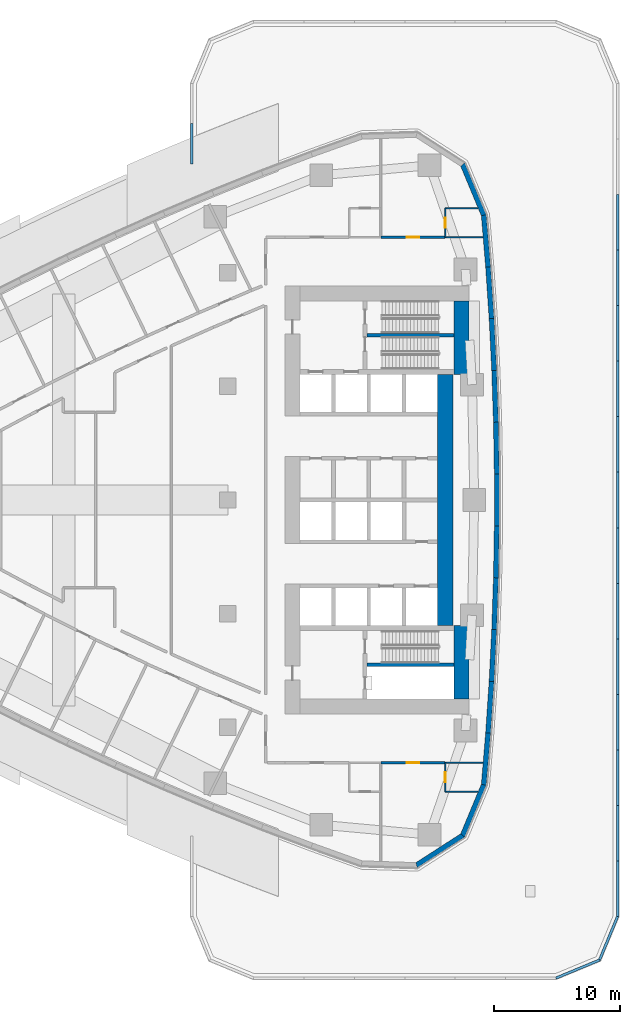
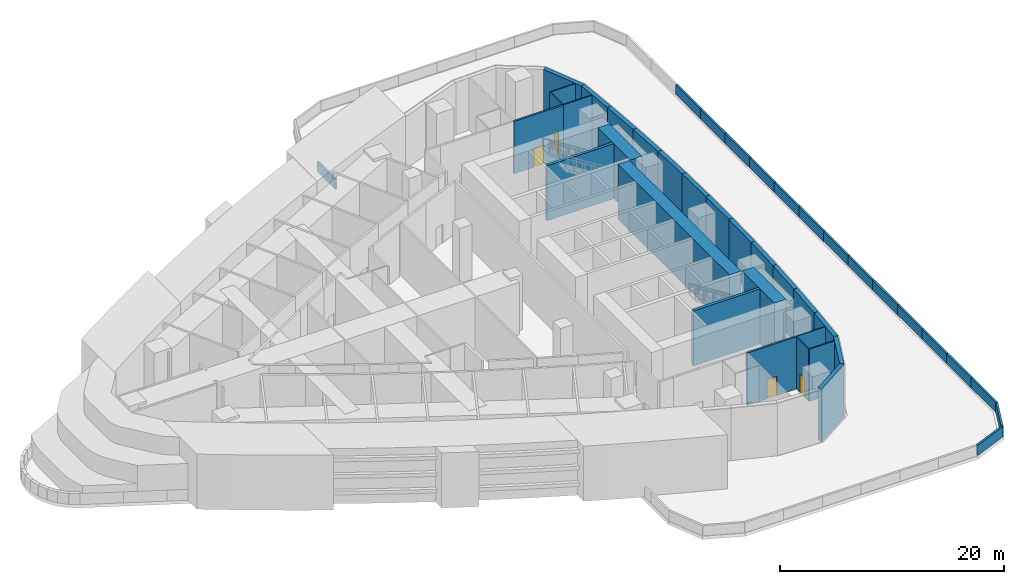
# One storey, part 6 of 14: 43 walls, 4 doors, 4 openings.
"""IFC4 building model written with IfcOpenShell, lengths in metres."""

from ifc_helpers import new_model, si_unit, direction, frame, frame_2d, origin, place, context, subcontext, project, spatial, polyline, rectangle, outline, extrude, material, layer, layer_set, type_object, element, fill, save


model = new_model("IFC4")

# Units and contexts
model_context = context("Model", 3, precision=1e-05, world=origin(), true_north=direction((0.0, 1.0)))
body_context = subcontext(model_context, "Body", "Model", "MODEL_VIEW")
ifc_project = project(units=[si_unit("LENGTHUNIT", "METRE"), si_unit("AREAUNIT", "SQUARE_METRE"), si_unit("VOLUMEUNIT", "CUBIC_METRE"), si_unit("PLANEANGLEUNIT", "RADIAN"), si_unit("MASSUNIT", "GRAM", prefix="KILO")], contexts=[model_context])

# Site, building, storey
site_placement = place(None, origin())
site = spatial("IfcSite", under=ifc_project, at=site_placement, CompositionType="ELEMENT")
building_placement = place(site_placement, origin())
building = spatial("IfcBuilding", under=site, at=building_placement, Name="Ostrand Prow Hotel Tower", CompositionType="ELEMENT")
storey_placement = place(building_placement, frame((0.0, 0.0, 29.0)))
storey = spatial("IfcBuildingStorey", under=building, at=storey_placement, Name="L05", CompositionType="ELEMENT", Elevation=29.0)

# Walls
ifc_material_1 = material(Name="Concrete C80/95", Category="concrete")
ifc_layer_1 = layer(ifc_material_1, 1.199951171875)
ifc_layer_set_1 = layer_set([ifc_layer_1], Name="Concrete C80/95")
wall_type_1 = type_object("IfcWallType", Name="Core wall 1200 C80/95", PredefinedType="SHEAR", material=ifc_layer_set_1)
for number, where, z_axis, x_axis, name in (
    (1, (63.47998046875, 9.949951171875, 0.0), (0.0, 0.0, 1.0), (0.0, 1.0, 0.0), "Core wall CW-E-N"),
    (2, (63.47998046875, -15.75, 0.0), (0.0, 0.0, 1.0), (0.0, 1.0, 0.0), "Core wall CW-E-S"),
):
    element("IfcWall", number, at=place(storey_placement, frame(where, z_axis=z_axis, x_axis=x_axis)), inside=storey, type_object=wall_type_1, Name=name, PredefinedType="SHEAR", context=body_context, shape_type="SweptSolid", body=[
        extrude(rectangle(XDim=5.800048828125, YDim=1.199951171875, at=frame_2d((2.89990234375, 0.0))), origin(), (0.0, 0.0, 1.0), 6.0),
    ])
wall_1_placement = place(storey_placement, frame((62.199951171875, -9.949951171875, 0.0), z_axis=(0.0, 0.0, 1.0), x_axis=(0.0, 1.0, 0.0)))
element("IfcWall", 3, at=wall_1_placement, inside=storey, type_object=wall_type_1, Name="Core wall CW-E-C", PredefinedType="SHEAR", context=body_context, shape_type="SweptSolid", body=[
    extrude(rectangle(XDim=19.89990234375, YDim=1.199951171875, at=frame_2d((9.949951171875, 0.0))), origin(), (0.0, 0.0, 1.0), 6.0),
])
ifc_material_2 = material(Name="Concrete C80/95", Category="concrete")
ifc_layer_2 = layer(ifc_material_2, 0.300048828125)
ifc_layer_set_2 = layer_set([ifc_layer_2], Name="Concrete C80/95")
wall_type_2 = type_object("IfcWallType", Name="Core wall 300 C80/95", PredefinedType="SHEAR", material=ifc_layer_set_2)
for number, where, z_axis, x_axis, name in (
    (4, (56.0, 13.050048828125, 0.0), (0.0, 0.0, 1.0), (1.0, 0.0, 0.0), "Core wall PW-ST13"),
    (5, (56.0, -13.050048828125, 0.0), (0.0, 0.0, 1.0), (1.0, 0.0, 0.0), "Core wall PW-ST2R"),
):
    element("IfcWall", number, at=place(storey_placement, frame(where, z_axis=z_axis, x_axis=x_axis)), inside=storey, type_object=wall_type_2, Name=name, PredefinedType="SHEAR", context=body_context, shape_type="SweptSolid", body=[
        extrude(rectangle(XDim=6.8798828125, YDim=0.300048828125, at=frame_2d((3.43994140625, 0.0))), origin(), (0.0, 0.0, 1.0), 6.0),
    ])

# Wall, opening, door
ifc_material_3 = material(Name="Plasterboard partition")
ifc_layer_3 = layer(ifc_material_3, 0.10009765625)
ifc_layer_set_3 = layer_set([ifc_layer_3], Name="Plasterboard partition")
wall_type_3 = type_object("IfcWallType", Name="Partition 100 bathroom wall", PredefinedType="PARTITIONING", material=ifc_layer_set_3)
wall_2_placement = place(storey_placement, frame((62.203369140625, 20.800048828125, 0.0), z_axis=(0.0, 0.0, 1.0), x_axis=(0.0, 1.0, 0.0)))
wall_2 = element("IfcWall", 6, at=wall_2_placement, inside=storey, type_object=wall_type_3, Name="BATHROOM WALL", PredefinedType="PARTITIONING", context=body_context, shape_type="SweptSolid", body=[
    extrude(rectangle(XDim=2.300048828125, YDim=0.10009765625, at=frame_2d((1.14990234375, 0.0))), origin(), (0.0, 0.0, 1.0), 5.699951171875),
])
opening_1_placement = place(wall_2_placement, frame((0.75, 0.0, 0.0)))
opening_1 = element("IfcOpeningElement", 7, at=opening_1_placement, cuts=wall_2, Name="Opening D2", PredefinedType="OPENING", context=body_context, shape_type="SweptSolid", body=[
    extrude(rectangle(XDim=0.800048828125, YDim=2.10009765625, at=frame_2d((0.39990234375, 1.050048828125))), frame((0.0, 0.06005859375, 0.0), z_axis=(0.0, -1.0, 0.0), x_axis=(1.0, 0.0, 0.0)), (0.0, 0.0, 1.0), 0.1201171875),
])
ifc_material_4 = material(Name="Timber door leaf", Category="wood")
door_type_1 = type_object("IfcDoorType", Name="Bathroom door 800", OperationType="SINGLE_SWING_LEFT", PredefinedType="DOOR", material=ifc_material_4)
door_1_placement = place(opening_1_placement, origin())
door_1 = element("IfcDoor", 8, at=door_1_placement, inside=storey, type_object=door_type_1, Name="DOOR", OperationType="SINGLE_SWING_LEFT", OverallHeight=2.10009765625, OverallWidth=0.800048828125, PredefinedType="DOOR", context=body_context, shape_type="SweptSolid", body=[
    extrude(rectangle(XDim=0.800048828125, YDim=2.10009765625, at=frame_2d((0.39990234375, 1.050048828125))), frame((0.0, 0.02490234375, 0.0), z_axis=(0.0, -1.0, 0.0), x_axis=(1.0, 0.0, 0.0)), (0.0, 0.0, 1.0), 0.050048828125),
])
fill(opening_1, door_1)

# Walls
for number, where, z_axis, x_axis, name in (
    (9, (62.203369140625, 23.10009765625, 0.0), (0.0, 0.0, 1.0), (1.0, 0.0, 0.0), "BATHROOM WALL"),
    (10, (64.781494140625, -23.10009765625, 0.0), (0.0, 0.0, 1.0), (-1.0, 0.0, 0.0), "BATHROOM WALL"),
):
    element("IfcWall", number, at=place(storey_placement, frame(where, z_axis=z_axis, x_axis=x_axis)), inside=storey, type_object=wall_type_3, Name=name, PredefinedType="PARTITIONING", context=body_context, shape_type="SweptSolid", body=[
        extrude(rectangle(XDim=2.578125, YDim=0.10009765625, at=frame_2d((1.2890625, 0.0))), origin(), (0.0, 0.0, 1.0), 5.699951171875),
    ])

# Wall, opening, door
wall_3_placement = place(storey_placement, frame((62.203369140625, -23.10009765625, 0.0), z_axis=(0.0, 0.0, 1.0), x_axis=(0.0, 1.0, 0.0)))
wall_3 = element("IfcWall", 11, at=wall_3_placement, inside=storey, type_object=wall_type_3, Name="BATHROOM WALL", PredefinedType="PARTITIONING", context=body_context, shape_type="SweptSolid", body=[
    extrude(rectangle(XDim=2.300048828125, YDim=0.10009765625, at=frame_2d((1.14990234375, 0.0))), origin(), (0.0, 0.0, 1.0), 5.699951171875),
])
opening_2_placement = place(wall_3_placement, frame((0.75, 0.0, 0.0)))
opening_2 = element("IfcOpeningElement", 12, at=opening_2_placement, cuts=wall_3, Name="Opening D2", PredefinedType="OPENING", context=body_context, shape_type="SweptSolid", body=[
    extrude(rectangle(XDim=0.800048828125, YDim=2.10009765625, at=frame_2d((0.39990234375, 1.050048828125))), frame((0.0, 0.06005859375, 0.0), z_axis=(0.0, -1.0, 0.0), x_axis=(1.0, 0.0, 0.0)), (0.0, 0.0, 1.0), 0.1201171875),
])
door_2_placement = place(opening_2_placement, origin())
door_2 = element("IfcDoor", 13, at=door_2_placement, inside=storey, type_object=door_type_1, Name="DOOR", OperationType="SINGLE_SWING_LEFT", OverallHeight=2.10009765625, OverallWidth=0.800048828125, PredefinedType="DOOR", context=body_context, shape_type="SweptSolid", body=[
    extrude(rectangle(XDim=0.800048828125, YDim=2.10009765625, at=frame_2d((0.39990234375, 1.050048828125))), frame((0.0, 0.02490234375, 0.0), z_axis=(0.0, -1.0, 0.0), x_axis=(1.0, 0.0, 0.0)), (0.0, 0.0, 1.0), 0.050048828125),
])
fill(opening_2, door_2)

# Walls
for number, where, z_axis, x_axis, name in (
    (14, (65.175048828125, 20.799072265625, 0.0), (0.0, 0.0, 1.0), (-0.999998056129, 0.001971734583, 0.0), "BATHROOM WALL"),
    (15, (62.203369140625, -20.804931640625, 0.0), (0.0, 0.0, 1.0), (0.999998056129, 0.001971734583, 0.0), "BATHROOM WALL"),
):
    element("IfcWall", number, at=place(storey_placement, frame(where, z_axis=z_axis, x_axis=x_axis)), inside=storey, type_object=wall_type_3, Name=name, PredefinedType="PARTITIONING", context=body_context, shape_type="SweptSolid", body=[
        extrude(rectangle(XDim=2.9716796875, YDim=0.10009765625, at=frame_2d((1.48583984375, 0.0))), origin(), (0.0, 0.0, 1.0), 5.699951171875),
    ])

# Wall, opening, door
ifc_material_5 = material(Name="Plasterboard partition")
ifc_layer_4 = layer(ifc_material_5, 0.199951171875)
ifc_layer_set_4 = layer_set([ifc_layer_4], Name="Plasterboard partition")
wall_type_4 = type_object("IfcWallType", Name="Partition 200 corridor wall", PredefinedType="PARTITIONING", material=ifc_layer_set_4)
wall_4_placement = place(storey_placement, frame((62.1982421875, 20.804931640625, 0.0), z_axis=(0.0, 0.0, 1.0), x_axis=(-1.0, 0.0, 0.0)))
wall_4 = element("IfcWall", 16, at=wall_4_placement, inside=storey, type_object=wall_type_4, Name="CORRIDOR WALL", PredefinedType="PARTITIONING", context=body_context, shape_type="SweptSolid", body=[
    extrude(rectangle(XDim=5.091552734375, YDim=0.199951171875, at=frame_2d((2.5458984375, 0.0))), origin(), (0.0, 0.0, 1.0), 5.699951171875),
])
opening_3_placement = place(wall_4_placement, frame((2.0458984375, 0.0, 0.0)))
opening_3 = element("IfcOpeningElement", 17, at=opening_3_placement, cuts=wall_4, Name="Opening D1R", PredefinedType="OPENING", context=body_context, shape_type="SweptSolid", body=[
    extrude(rectangle(XDim=1.0, YDim=2.10009765625, at=frame_2d((0.5, 1.050048828125))), frame((0.0, 0.10986328125, 0.0), z_axis=(0.0, -1.0, 0.0), x_axis=(1.0, 0.0, 0.0)), (0.0, 0.0, 1.0), 0.219970703125),
])
ifc_material_6 = material(Name="Timber door leaf", Category="wood")
door_type_2 = type_object("IfcDoorType", Name="Guest room door 1000 right", OperationType="SINGLE_SWING_RIGHT", PredefinedType="DOOR", material=ifc_material_6)
door_3_placement = place(opening_3_placement, origin())
door_3 = element("IfcDoor", 18, at=door_3_placement, inside=storey, type_object=door_type_2, Name="DOOR", OperationType="SINGLE_SWING_RIGHT", OverallHeight=2.10009765625, OverallWidth=1.0, PredefinedType="DOOR", context=body_context, shape_type="SweptSolid", body=[
    extrude(rectangle(XDim=1.0, YDim=2.10009765625, at=frame_2d((0.5, 1.050048828125))), frame((0.0, 0.02490234375, 0.0), z_axis=(0.0, -1.0, 0.0), x_axis=(1.0, 0.0, 0.0)), (0.0, 0.0, 1.0), 0.050048828125),
])
fill(opening_3, door_3)

wall_5_placement = place(storey_placement, frame((57.106689453125, -20.804931640625, 0.0), z_axis=(0.0, 0.0, 1.0), x_axis=(1.0, 0.0, 0.0)))
wall_5 = element("IfcWall", 19, at=wall_5_placement, inside=storey, type_object=wall_type_4, Name="CORRIDOR WALL", PredefinedType="PARTITIONING", context=body_context, shape_type="SweptSolid", body=[
    extrude(rectangle(XDim=5.091552734375, YDim=0.199951171875, at=frame_2d((2.5458984375, 0.0))), origin(), (0.0, 0.0, 1.0), 5.699951171875),
])
opening_4_placement = place(wall_5_placement, frame((2.0458984375, 0.0, 0.0)))
opening_4 = element("IfcOpeningElement", 20, at=opening_4_placement, cuts=wall_5, Name="Opening D1R", PredefinedType="OPENING", context=body_context, shape_type="SweptSolid", body=[
    extrude(rectangle(XDim=1.0, YDim=2.10009765625, at=frame_2d((0.5, 1.050048828125))), frame((0.0, 0.10986328125, 0.0), z_axis=(0.0, -1.0, 0.0), x_axis=(1.0, 0.0, 0.0)), (0.0, 0.0, 1.0), 0.219970703125),
])
door_4_placement = place(opening_4_placement, origin())
door_4 = element("IfcDoor", 21, at=door_4_placement, inside=storey, type_object=door_type_2, Name="DOOR", OperationType="SINGLE_SWING_RIGHT", OverallHeight=2.10009765625, OverallWidth=1.0, PredefinedType="DOOR", context=body_context, shape_type="SweptSolid", body=[
    extrude(rectangle(XDim=1.0, YDim=2.10009765625, at=frame_2d((0.5, 1.050048828125))), frame((0.0, 0.02490234375, 0.0), z_axis=(0.0, -1.0, 0.0), x_axis=(1.0, 0.0, 0.0)), (0.0, 0.0, 1.0), 0.050048828125),
])
fill(opening_4, door_4)

# Walls
ifc_material_7 = material(Name="Precast concrete C40/50", Category="concrete")
ifc_layer_5 = layer(ifc_material_7, 0.199951171875)
ifc_layer_set_5 = layer_set([ifc_layer_5], Name="Precast concrete C40/50")
wall_type_5 = type_object("IfcWallType", Name="Roof parapet 200 mm precast concrete", PredefinedType="PARAPET", material=ifc_layer_set_5)
wall_6_placement = place(storey_placement, frame((42.14990234375, 29.79150390625, 0.0), z_axis=(0.0, 0.0, 1.0), x_axis=(0.0, -1.0, 0.0)))
element("IfcWall", 22, at=wall_6_placement, inside=storey, type_object=wall_type_5, Name="Roof parapet PRP0 1.2", PredefinedType="PARAPET", context=body_context, shape_type="SweptSolid", body=[
    extrude(rectangle(XDim=3.1787109375, YDim=0.199951171875, at=frame_2d((1.58935546875, 0.0))), origin(), (0.0, 0.0, 1.0), 1.10009765625),
])
for number, where, z_axis, x_axis, name in (
    (23, (70.97021484375, -37.85009765625, 0.0), (0.0, 0.0, 1.0), (0.923858275013, 0.382734748475, 0.0), "Roof parapet PRP0 1.40"),
    (24, (74.420654296875, -36.420654296875, 0.0), (0.0, 0.0, 1.0), (0.382734748475, 0.923858275013, 0.0), "Roof parapet PRP0 1.41"),
):
    element("IfcWall", number, at=place(storey_placement, frame(where, z_axis=z_axis, x_axis=x_axis)), inside=storey, type_object=wall_type_5, Name=name, PredefinedType="PARAPET", context=body_context, shape_type="SweptSolid", body=[
        extrude(rectangle(XDim=3.73486328125, YDim=0.199951171875, at=frame_2d((1.867431640625, 0.0))), origin(), (0.0, 0.0, 1.0), 1.10009765625),
    ])
wall_7_placement = place(storey_placement, frame((75.85009765625, -32.97021484375, 0.0), z_axis=(0.0, 0.0, 1.0), x_axis=(0.0, 1.0, 0.0)))
element("IfcWall", 25, at=wall_7_placement, inside=storey, type_object=wall_type_5, Name="Roof parapet PRP0 1.42", PredefinedType="PARAPET", context=body_context, shape_type="SweptSolid", body=[
    extrude(rectangle(XDim=4.39599609375, YDim=0.199951171875, at=frame_2d((2.197998046875, 0.0))), origin(), (0.0, 0.0, 1.0), 1.10009765625),
])
wall_8_placement = place(storey_placement, frame((75.85009765625, -28.57421875, 0.0), z_axis=(0.0, 0.0, 1.0), x_axis=(0.0, 1.0, 0.0)))
element("IfcWall", 26, at=wall_8_placement, inside=storey, type_object=wall_type_5, Name="Roof parapet PRP0 1.43", PredefinedType="PARAPET", context=body_context, shape_type="SweptSolid", body=[
    extrude(rectangle(XDim=4.396240234375, YDim=0.199951171875, at=frame_2d((2.1982421875, 0.0))), origin(), (0.0, 0.0, 1.0), 1.10009765625),
])
for number, where, z_axis, x_axis, name in (
    (27, (75.85009765625, -24.177978515625, 0.0), (0.0, 0.0, 1.0), (0.0, 1.0, 0.0), "Roof parapet PRP0 1.44"),
    (28, (75.85009765625, -19.781982421875, 0.0), (0.0, 0.0, 1.0), (0.0, 1.0, 0.0), "Roof parapet PRP0 1.45"),
    (29, (75.85009765625, -15.385986328125, 0.0), (0.0, 0.0, 1.0), (0.0, 1.0, 0.0), "Roof parapet PRP0 1.46"),
    (30, (75.85009765625, -10.989990234375, 0.0), (0.0, 0.0, 1.0), (0.0, 1.0, 0.0), "Roof parapet PRP0 1.47"),
    (31, (75.85009765625, -6.593994140625, 0.0), (0.0, 0.0, 1.0), (0.0, 1.0, 0.0), "Roof parapet PRP0 1.48"),
    (32, (75.85009765625, -2.197998046875, 0.0), (0.0, 0.0, 1.0), (0.0, 1.0, 0.0), "Roof parapet PRP0 1.49"),
    (33, (75.85009765625, 2.197998046875, 0.0), (0.0, 0.0, 1.0), (0.0, 1.0, 0.0), "Roof parapet PRP0 1.50"),
    (34, (75.85009765625, 6.593994140625, 0.0), (0.0, 0.0, 1.0), (0.0, 1.0, 0.0), "Roof parapet PRP0 1.51"),
    (35, (75.85009765625, 10.989990234375, 0.0), (0.0, 0.0, 1.0), (0.0, 1.0, 0.0), "Roof parapet PRP0 1.52"),
    (36, (75.85009765625, 15.385986328125, 0.0), (0.0, 0.0, 1.0), (0.0, 1.0, 0.0), "Roof parapet PRP0 1.53"),
    (37, (75.85009765625, 19.781982421875, 0.0), (0.0, 0.0, 1.0), (0.0, 1.0, 0.0), "Roof parapet PRP0 1.54"),
):
    element("IfcWall", number, at=place(storey_placement, frame(where, z_axis=z_axis, x_axis=x_axis)), inside=storey, type_object=wall_type_5, Name=name, PredefinedType="PARAPET", context=body_context, shape_type="SweptSolid", body=[
        extrude(rectangle(XDim=4.39599609375, YDim=0.199951171875, at=frame_2d((2.197998046875, 0.0))), origin(), (0.0, 0.0, 1.0), 1.10009765625),
    ])
ifc_material_8 = material(Name="Precast concrete C40/50", Category="concrete")
ifc_layer_6 = layer(ifc_material_8, 0.39990234375)
ifc_layer_set_6 = layer_set([ifc_layer_6], Name="Precast concrete C40/50")
wall_type_6 = type_object("IfcWallType", Name="Stone-faced precast wall 400 mm", PredefinedType="NOTDEFINED", material=ifc_layer_set_6)
wall_9_placement = place(storey_placement, frame((59.93359375, -28.909912109375, 0.0), z_axis=(0.0, 0.0, 1.0), x_axis=(0.840937468718, 0.541132307025, 0.0)))
element("IfcWall", 38, at=wall_9_placement, inside=storey, type_object=wall_type_6, Name="Stone-faced wall prow 18", PredefinedType="NOTDEFINED", context=body_context, shape_type="SweptSolid", body=[
    extrude(outline(polyline([(-0.0625, -0.199951171875), (4.40869140625, -0.199951171875), (4.28369140625, 0.199951171875), (0.0625, 0.199951171875), (-0.0625, -0.199951171875)])), origin(), (0.0, 0.0, 1.0), 5.699951171875),
])
wall_10_placement = place(storey_placement, frame((63.58837890625, -26.55810546875, 0.0), z_axis=(0.0, 0.0, 1.0), x_axis=(0.384372042685, 0.923178277908, 0.0)))
element("IfcWall", 39, at=wall_10_placement, inside=storey, type_object=wall_type_6, Name="Stone-faced wall prow 19", PredefinedType="NOTDEFINED", context=body_context, shape_type="SweptSolid", body=[
    extrude(outline(polyline([(-0.0625, -0.199951171875), (4.376953125, -0.199951171875), (4.314453125, 0.199951171875), (0.0625, 0.199951171875), (-0.0625, -0.199951171875)])), origin(), (0.0, 0.0, 1.0), 5.699951171875),
])
wall_11_placement = place(storey_placement, frame((65.2587890625, -22.546142578125, 0.0), z_axis=(0.0, 0.0, 1.0), x_axis=(0.083793550906, 0.996483136248, 0.0)))
element("IfcWall", 40, at=wall_11_placement, inside=storey, type_object=wall_type_6, Name="Stone-faced wall prow 20", PredefinedType="NOTDEFINED", context=body_context, shape_type="SweptSolid", body=[
    extrude(outline(polyline([(-0.03125, -0.199951171875), (4.10693359375, -0.199951171875), (4.103515625, 0.199951171875), (0.03125, 0.199951171875), (-0.03125, -0.199951171875)])), origin(), (0.0, 0.0, 1.0), 5.699951171875),
])
for number, where, z_axis, x_axis, name in (
    (41, (65.602783203125, -18.455322265625, 0.0), (0.0, 0.0, 1.0), (0.067087430225, 0.997747100575, 0.0), "Stone-faced wall prow 21"),
    (42, (65.878173828125, -14.359619140625, 0.0), (0.0, 0.0, 1.0), (0.050314326423, 0.998733432181, 0.0), "Stone-faced wall prow 22"),
    (43, (66.084716796875, -10.259765625, 0.0), (0.0, 0.0, 1.0), (0.033542554696, 0.999437290191, 0.0), "Stone-faced wall prow 23"),
    (44, (66.222412109375, -6.156982421875, 0.0), (0.0, 0.0, 1.0), (0.016830829972, 0.999858351549, 0.0), "Stone-faced wall prow 24"),
    (45, (66.29150390625, -2.052490234375, 0.0), (0.0, 0.0, 1.0), (0.0, 1.0, 0.0), "Stone-faced wall prow 25"),
    (46, (66.29150390625, 2.052490234375, 0.0), (0.0, 0.0, 1.0), (-0.016830829972, 0.999858351549, 0.0), "Stone-faced wall prow 26"),
    (47, (66.222412109375, 6.156982421875, 0.0), (0.0, 0.0, 1.0), (-0.033542554696, 0.999437290191, 0.0), "Stone-faced wall prow 27"),
    (48, (66.084716796875, 10.259765625, 0.0), (0.0, 0.0, 1.0), (-0.050314326423, 0.998733432181, 0.0), "Stone-faced wall prow 28"),
    (49, (65.878173828125, 14.359619140625, 0.0), (0.0, 0.0, 1.0), (-0.067087430225, 0.997747100575, 0.0), "Stone-faced wall prow 29"),
):
    element("IfcWall", number, at=place(storey_placement, frame(where, z_axis=z_axis, x_axis=x_axis)), inside=storey, type_object=wall_type_6, Name=name, PredefinedType="NOTDEFINED", context=body_context, shape_type="SweptSolid", body=[
        extrude(outline(polyline([(-0.001708984375, -0.199951171875), (4.106689453125, -0.199951171875), (4.103271484375, 0.199951171875), (0.001708984375, 0.199951171875), (-0.001708984375, -0.199951171875)])), origin(), (0.0, 0.0, 1.0), 5.699951171875),
    ])
wall_12_placement = place(storey_placement, frame((65.602783203125, 18.455322265625, 0.0), z_axis=(0.0, 0.0, 1.0), x_axis=(-0.083793550906, 0.996483136248, 0.0)))
element("IfcWall", 50, at=wall_12_placement, inside=storey, type_object=wall_type_6, Name="Stone-faced wall prow 30", PredefinedType="NOTDEFINED", context=body_context, shape_type="SweptSolid", body=[
    extrude(outline(polyline([(-0.001708984375, -0.199951171875), (4.136474609375, -0.199951171875), (4.073974609375, 0.199951171875), (0.001708984375, 0.199951171875), (-0.001708984375, -0.199951171875)])), origin(), (0.0, 0.0, 1.0), 5.699951171875),
])
wall_13_placement = place(storey_placement, frame((65.2587890625, 22.546142578125, 0.0), z_axis=(0.0, 0.0, 1.0), x_axis=(-0.384372042685, 0.923178277908, 0.0)))
element("IfcWall", 51, at=wall_13_placement, inside=storey, type_object=wall_type_6, Name="Stone-faced wall prow 31", PredefinedType="NOTDEFINED", context=body_context, shape_type="SweptSolid", body=[
    extrude(outline(polyline([(-0.03125, -0.199951171875), (4.408203125, -0.199951171875), (4.283203125, 0.199951171875), (0.03125, 0.199951171875), (-0.03125, -0.199951171875)])), origin(), (0.0, 0.0, 1.0), 5.699951171875),
])

save(model, "model.ifc")
